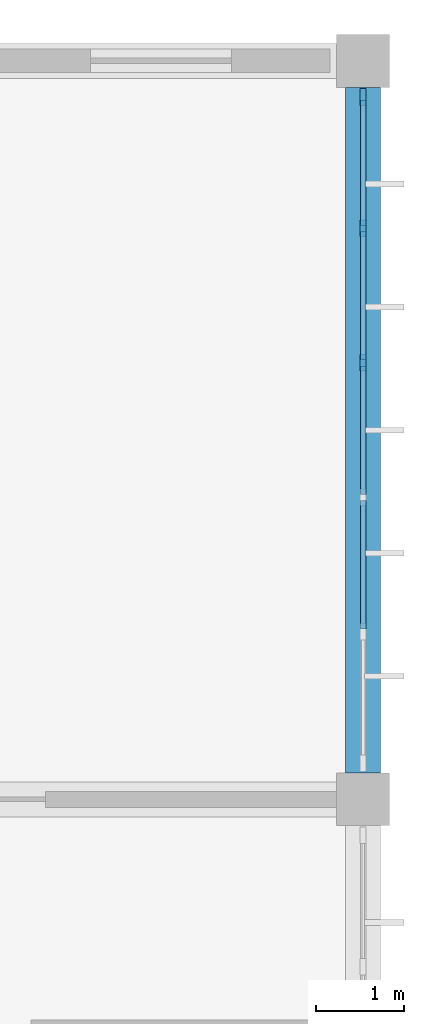
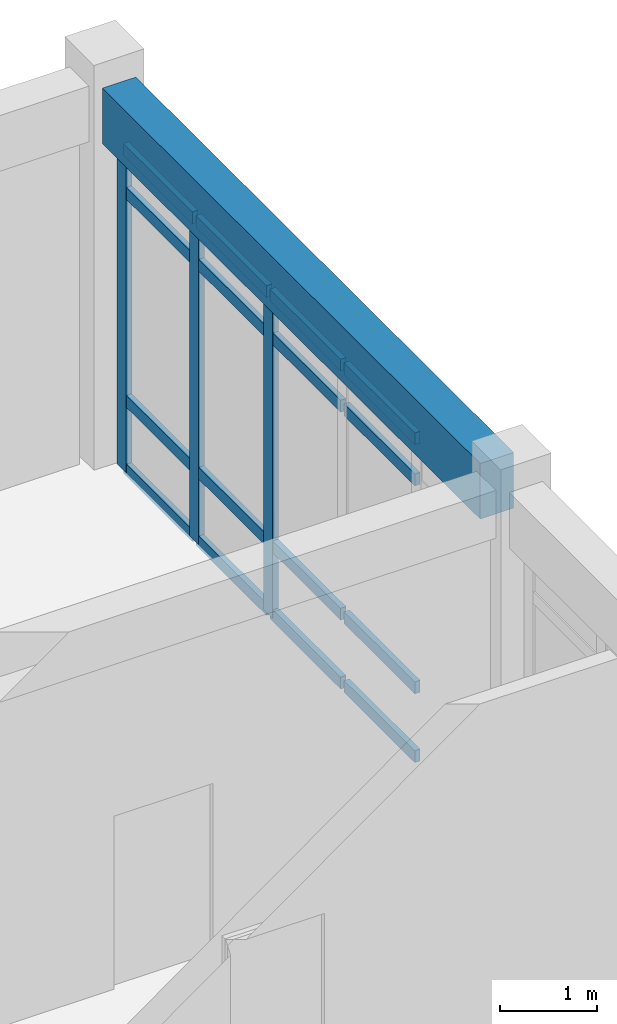
# One storey, part 65 of 134: 19 members, 1 beam, 1 element without a shape of its own.
"""IFC4 building model written with IfcOpenShell, lengths in metres."""

from ifc_helpers import new_model, si_unit, direction, frame, origin, origin_2d, place, context, subcontext, project, spatial, rectangle, extrude, material, layer, layer_set, material_profile, profile_set, type_object, element, aggregate, save


model = new_model("IFC4")

# Units and contexts
model_context = context("Model", 3, precision=1e-05, world=origin(), true_north=direction((0.0, 1.0)))
body_context = subcontext(model_context, "Body", "Model", "MODEL_VIEW")
ifc_project = project(units=[si_unit("LENGTHUNIT", "METRE"), si_unit("AREAUNIT", "SQUARE_METRE"), si_unit("VOLUMEUNIT", "CUBIC_METRE"), si_unit("PLANEANGLEUNIT", "RADIAN"), si_unit("MASSUNIT", "GRAM", prefix="KILO")], contexts=[model_context])

# Site, building, storey
site_placement = place(None, origin())
site = spatial("IfcSite", under=ifc_project, at=site_placement, CompositionType="ELEMENT")
building_placement = place(site_placement, origin())
building = spatial("IfcBuilding", under=site, at=building_placement, Name="Bramfleet General Hospital", CompositionType="ELEMENT")
storey_placement = place(building_placement, frame((0.0, 0.0, 9.300048828125)))
storey = spatial("IfcBuildingStorey", under=building, at=storey_placement, Name="L02", CompositionType="ELEMENT", Elevation=9.300048828125)

# Beam
ifc_material_1 = material(Name="Concrete C35/45", Category="concrete")
ifc_material_profile_1 = material_profile(ifc_material_1, rectangle(XDim=0.39990234375, YDim=0.699951171875, at=origin_2d()), Name="RC SP 700x400")
ifc_profile_set_1 = profile_set([ifc_material_profile_1], Name="Concrete C35/45")
beam_type = type_object("IfcBeamType", Name="BM-SP700", PredefinedType="SPANDREL", material=ifc_profile_set_1)
beam_placement = place(storey_placement, frame((168.0, 109.5, 4.429931640625), z_axis=(0.0, 1.0, 0.0), x_axis=(-1.0, 0.0, 0.0)))
element("IfcBeam", 1, at=beam_placement, inside=storey, type_object=beam_type, Name="L02 Grid Beam Y 20-13", PredefinedType="SPANDREL", context=body_context, shape_type="SweptSolid", body=[
    extrude(rectangle(XDim=0.39990234375, YDim=0.699951171875, at=origin_2d()), origin(), (0.0, 0.0, 1.0), 7.800048828125),
])

# Curtain wall, members
ifc_material_2 = material(Name="Anodised aluminium and low-E triple glazing", Category="aluminium")
ifc_layer = layer(ifc_material_2, 0.179931640625, Name="CWT-CW-10")
ifc_layer_set = layer_set([ifc_layer], Name="Anodised aluminium and low-E triple glazing")
curtain_wall_type = type_object("IfcCurtainWallType", Name="CWT-CW-10", PredefinedType="USERDEFINED", material=ifc_layer_set)
curtain_wall_placement = place(storey_placement, origin())
curtain_wall = element("IfcCurtainWall", 2, at=curtain_wall_placement, inside=storey, type_object=curtain_wall_type, Name="L02 Curtain Wall 100", ObjectType="Stick curtain wall", PredefinedType="USERDEFINED")
ifc_material_3 = material(Name="Structural timber GL28h", Category="wood")
ifc_material_profile_2 = material_profile(ifc_material_3, rectangle(XDim=0.070068359375, YDim=0.18994140625, at=origin_2d()), Name="LARCH 190x70")
ifc_profile_set_2 = profile_set([ifc_material_profile_2], Name="Structural timber GL28h")
member_type_1 = type_object("IfcMemberType", Name="CWM-LARCH450", PredefinedType="MULLION", material=ifc_profile_set_2)
member_1_placement = place(storey_placement, frame((168.0, 117.18994140625, 0.0), z_axis=(0.0, 0.0, 1.0), x_axis=(1.0, 0.0, 0.0)))
member_1 = element("IfcMember", 3, at=member_1_placement, type_object=member_type_1, Name="CW-10 mullion 1", PredefinedType="MULLION", context=body_context, shape_type="SweptSolid", body=[
    extrude(rectangle(XDim=0.070068359375, YDim=0.18994140625, at=origin_2d()), origin(), (0.0, 0.0, 1.0), 4.070068359375),
])
member_2_placement = place(storey_placement, frame((168.0, 115.695068359375, 0.0), z_axis=(0.0, 0.0, 1.0), x_axis=(1.0, 0.0, 0.0)))
member_2 = element("IfcMember", 4, at=member_2_placement, type_object=member_type_1, Name="CW-10 mullion 2", PredefinedType="MULLION", context=body_context, shape_type="SweptSolid", body=[
    extrude(rectangle(XDim=0.070068359375, YDim=0.18994140625, at=origin_2d()), origin(), (0.0, 0.0, 1.0), 4.070068359375),
])
member_3_placement = place(storey_placement, frame((168.0, 114.1650390625, 0.0), z_axis=(0.0, 0.0, 1.0), x_axis=(1.0, 0.0, 0.0)))
member_3 = element("IfcMember", 5, at=member_3_placement, type_object=member_type_1, Name="CW-10 mullion 3", PredefinedType="MULLION", context=body_context, shape_type="SweptSolid", body=[
    extrude(rectangle(XDim=0.070068359375, YDim=0.18994140625, at=origin_2d()), origin(), (0.0, 0.0, 1.0), 4.070068359375),
])
ifc_material_profile_3 = material_profile(ifc_material_3, rectangle(XDim=0.06494140625, YDim=0.14990234375, at=origin_2d()), Name="LARCH 150x65")
ifc_profile_set_3 = profile_set([ifc_material_profile_3], Name="Structural timber GL28h")
member_type_2 = type_object("IfcMemberType", Name="CWT-LARCH220", PredefinedType="USERDEFINED", material=ifc_profile_set_3)
member_4_placement = place(storey_placement, frame((168.0, 117.155029296875, 0.032470703125), z_axis=(0.0, -1.0, 0.0), x_axis=(1.0, 0.0, 0.0)))
member_4 = element("IfcMember", 6, at=member_4_placement, type_object=member_type_2, Name="CW-10 transom 1.1", ObjectType="TRANSOM", PredefinedType="USERDEFINED", context=body_context, shape_type="SweptSolid", body=[
    extrude(rectangle(XDim=0.06494140625, YDim=0.14990234375, at=origin_2d()), origin(), (0.0, 0.0, 1.0), 1.425048828125),
])
member_5_placement = place(storey_placement, frame((168.0, 117.155029296875, 0.89990234375), z_axis=(0.0, -1.0, 0.0), x_axis=(1.0, 0.0, 0.0)))
member_5 = element("IfcMember", 7, at=member_5_placement, type_object=member_type_2, Name="CW-10 transom 1.2", ObjectType="TRANSOM", PredefinedType="USERDEFINED", context=body_context, shape_type="SweptSolid", body=[
    extrude(rectangle(XDim=0.06494140625, YDim=0.14990234375, at=origin_2d()), origin(), (0.0, 0.0, 1.0), 1.425048828125),
])
member_6_placement = place(storey_placement, frame((168.0, 117.155029296875, 3.52001953125), z_axis=(0.0, -1.0, 0.0), x_axis=(1.0, 0.0, 0.0)))
member_6 = element("IfcMember", 8, at=member_6_placement, type_object=member_type_2, Name="CW-10 transom 1.3", ObjectType="TRANSOM", PredefinedType="USERDEFINED", context=body_context, shape_type="SweptSolid", body=[
    extrude(rectangle(XDim=0.06494140625, YDim=0.14990234375, at=origin_2d()), origin(), (0.0, 0.0, 1.0), 1.425048828125),
])
member_7_placement = place(storey_placement, frame((168.0, 117.155029296875, 4.037353515625), z_axis=(0.0, -1.0, 0.0), x_axis=(1.0, 0.0, 0.0)))
member_7 = element("IfcMember", 9, at=member_7_placement, type_object=member_type_2, Name="CW-10 transom 1.4", ObjectType="TRANSOM", PredefinedType="USERDEFINED", context=body_context, shape_type="SweptSolid", body=[
    extrude(rectangle(XDim=0.06494140625, YDim=0.14990234375, at=origin_2d()), origin(), (0.0, 0.0, 1.0), 1.425048828125),
])
member_8_placement = place(storey_placement, frame((168.0, 115.659912109375, 0.032470703125), z_axis=(0.0, -1.0, 0.0), x_axis=(1.0, 0.0, 0.0)))
member_8 = element("IfcMember", 10, at=member_8_placement, type_object=member_type_2, Name="CW-10 transom 2.1", ObjectType="TRANSOM", PredefinedType="USERDEFINED", context=body_context, shape_type="SweptSolid", body=[
    extrude(rectangle(XDim=0.06494140625, YDim=0.14990234375, at=origin_2d()), origin(), (0.0, 0.0, 1.0), 1.4599609375),
])
member_9_placement = place(storey_placement, frame((168.0, 115.659912109375, 0.89990234375), z_axis=(0.0, -1.0, 0.0), x_axis=(1.0, 0.0, 0.0)))
member_9 = element("IfcMember", 11, at=member_9_placement, type_object=member_type_2, Name="CW-10 transom 2.2", ObjectType="TRANSOM", PredefinedType="USERDEFINED", context=body_context, shape_type="SweptSolid", body=[
    extrude(rectangle(XDim=0.06494140625, YDim=0.14990234375, at=origin_2d()), origin(), (0.0, 0.0, 1.0), 1.4599609375),
])
member_10_placement = place(storey_placement, frame((168.0, 115.659912109375, 3.52001953125), z_axis=(0.0, -1.0, 0.0), x_axis=(1.0, 0.0, 0.0)))
member_10 = element("IfcMember", 12, at=member_10_placement, type_object=member_type_2, Name="CW-10 transom 2.3", ObjectType="TRANSOM", PredefinedType="USERDEFINED", context=body_context, shape_type="SweptSolid", body=[
    extrude(rectangle(XDim=0.06494140625, YDim=0.14990234375, at=origin_2d()), origin(), (0.0, 0.0, 1.0), 1.4599609375),
])
member_11_placement = place(storey_placement, frame((168.0, 115.659912109375, 4.037353515625), z_axis=(0.0, -1.0, 0.0), x_axis=(1.0, 0.0, 0.0)))
member_11 = element("IfcMember", 13, at=member_11_placement, type_object=member_type_2, Name="CW-10 transom 2.4", ObjectType="TRANSOM", PredefinedType="USERDEFINED", context=body_context, shape_type="SweptSolid", body=[
    extrude(rectangle(XDim=0.06494140625, YDim=0.14990234375, at=origin_2d()), origin(), (0.0, 0.0, 1.0), 1.4599609375),
])
member_12_placement = place(storey_placement, frame((168.0, 114.1298828125, 0.032470703125), z_axis=(0.0, -1.0, 0.0), x_axis=(1.0, 0.0, 0.0)))
member_12 = element("IfcMember", 14, at=member_12_placement, type_object=member_type_2, Name="CW-10 transom 3.1", ObjectType="TRANSOM", PredefinedType="USERDEFINED", context=body_context, shape_type="SweptSolid", body=[
    extrude(rectangle(XDim=0.06494140625, YDim=0.14990234375, at=origin_2d()), origin(), (0.0, 0.0, 1.0), 1.4599609375),
])
member_13_placement = place(storey_placement, frame((168.0, 114.1298828125, 0.89990234375), z_axis=(0.0, -1.0, 0.0), x_axis=(1.0, 0.0, 0.0)))
member_13 = element("IfcMember", 15, at=member_13_placement, type_object=member_type_2, Name="CW-10 transom 3.2", ObjectType="TRANSOM", PredefinedType="USERDEFINED", context=body_context, shape_type="SweptSolid", body=[
    extrude(rectangle(XDim=0.06494140625, YDim=0.14990234375, at=origin_2d()), origin(), (0.0, 0.0, 1.0), 1.4599609375),
])
member_14_placement = place(storey_placement, frame((168.0, 114.1298828125, 3.52001953125), z_axis=(0.0, -1.0, 0.0), x_axis=(1.0, 0.0, 0.0)))
member_14 = element("IfcMember", 16, at=member_14_placement, type_object=member_type_2, Name="CW-10 transom 3.3", ObjectType="TRANSOM", PredefinedType="USERDEFINED", context=body_context, shape_type="SweptSolid", body=[
    extrude(rectangle(XDim=0.06494140625, YDim=0.14990234375, at=origin_2d()), origin(), (0.0, 0.0, 1.0), 1.4599609375),
])
member_15_placement = place(storey_placement, frame((168.0, 114.1298828125, 4.037353515625), z_axis=(0.0, -1.0, 0.0), x_axis=(1.0, 0.0, 0.0)))
member_15 = element("IfcMember", 17, at=member_15_placement, type_object=member_type_2, Name="CW-10 transom 3.4", ObjectType="TRANSOM", PredefinedType="USERDEFINED", context=body_context, shape_type="SweptSolid", body=[
    extrude(rectangle(XDim=0.06494140625, YDim=0.14990234375, at=origin_2d()), origin(), (0.0, 0.0, 1.0), 1.4599609375),
])
member_16_placement = place(storey_placement, frame((168.0, 112.60009765625, 0.032470703125), z_axis=(0.0, -1.0, 0.0), x_axis=(1.0, 0.0, 0.0)))
member_16 = element("IfcMember", 18, at=member_16_placement, type_object=member_type_2, Name="CW-10 transom 4.1", ObjectType="TRANSOM", PredefinedType="USERDEFINED", context=body_context, shape_type="SweptSolid", body=[
    extrude(rectangle(XDim=0.06494140625, YDim=0.14990234375, at=origin_2d()), origin(), (0.0, 0.0, 1.0), 1.460205078125),
])
member_17_placement = place(storey_placement, frame((168.0, 112.60009765625, 0.89990234375), z_axis=(0.0, -1.0, 0.0), x_axis=(1.0, 0.0, 0.0)))
member_17 = element("IfcMember", 19, at=member_17_placement, type_object=member_type_2, Name="CW-10 transom 4.2", ObjectType="TRANSOM", PredefinedType="USERDEFINED", context=body_context, shape_type="SweptSolid", body=[
    extrude(rectangle(XDim=0.06494140625, YDim=0.14990234375, at=origin_2d()), origin(), (0.0, 0.0, 1.0), 1.460205078125),
])
member_18_placement = place(storey_placement, frame((168.0, 112.60009765625, 3.52001953125), z_axis=(0.0, -1.0, 0.0), x_axis=(1.0, 0.0, 0.0)))
member_18 = element("IfcMember", 20, at=member_18_placement, type_object=member_type_2, Name="CW-10 transom 4.3", ObjectType="TRANSOM", PredefinedType="USERDEFINED", context=body_context, shape_type="SweptSolid", body=[
    extrude(rectangle(XDim=0.06494140625, YDim=0.14990234375, at=origin_2d()), origin(), (0.0, 0.0, 1.0), 1.460205078125),
])
member_19_placement = place(storey_placement, frame((168.0, 112.60009765625, 4.037353515625), z_axis=(0.0, -1.0, 0.0), x_axis=(1.0, 0.0, 0.0)))
member_19 = element("IfcMember", 21, at=member_19_placement, type_object=member_type_2, Name="CW-10 transom 4.4", ObjectType="TRANSOM", PredefinedType="USERDEFINED", context=body_context, shape_type="SweptSolid", body=[
    extrude(rectangle(XDim=0.06494140625, YDim=0.14990234375, at=origin_2d()), origin(), (0.0, 0.0, 1.0), 1.460205078125),
])
aggregate(curtain_wall, [member_1, member_2, member_3, member_4, member_5, member_6, member_7, member_8, member_9, member_10, member_11, member_12, member_13, member_14, member_15, member_16, member_17, member_18, member_19])

save(model, "model.ifc")
